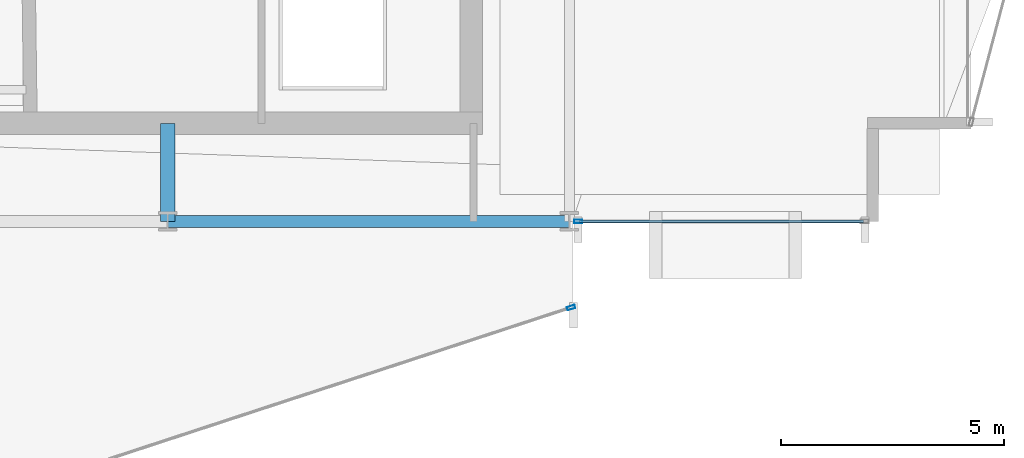
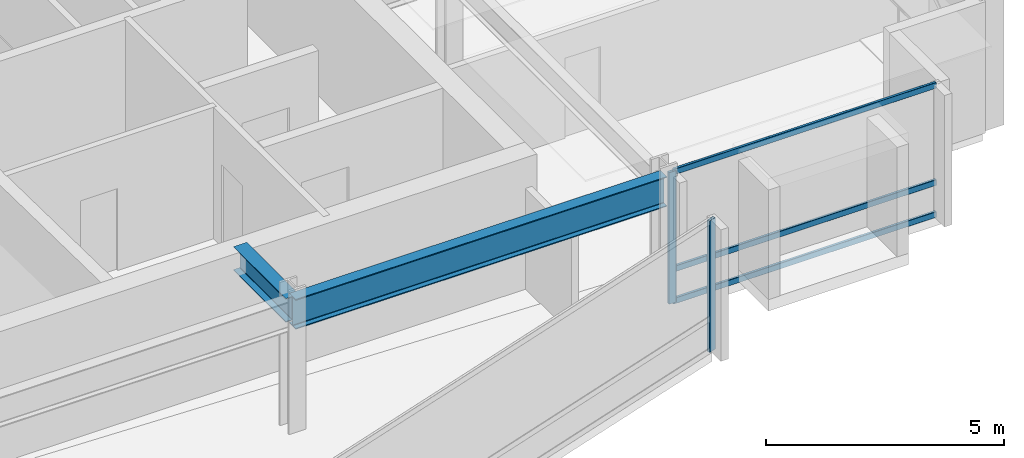
# One storey, part 10 of 29: 5 members, 2 beams, 2 elements without a shape of their own.
"""IFC4 building model written with IfcOpenShell, lengths in metres."""

from ifc_helpers import new_model, si_unit, direction, frame, origin, origin_2d, place, context, subcontext, project, spatial, hollow_rectangle, i_section, extrude, material, layer, layer_set, material_profile, profile_set, type_object, element, aggregate, save


model = new_model("IFC4")

# Units and contexts
model_context = context("Model", 3, precision=1e-05, world=origin(), true_north=direction((0.0, 1.0)))
body_context = subcontext(model_context, "Body", "Model", "MODEL_VIEW")
ifc_project = project(units=[si_unit("LENGTHUNIT", "METRE"), si_unit("AREAUNIT", "SQUARE_METRE"), si_unit("VOLUMEUNIT", "CUBIC_METRE"), si_unit("PLANEANGLEUNIT", "RADIAN"), si_unit("MASSUNIT", "GRAM", prefix="KILO")], contexts=[model_context])

# Site, building, storey
site_placement = place(None, origin())
site = spatial("IfcSite", under=ifc_project, at=site_placement, CompositionType="ELEMENT")
building_placement = place(site_placement, origin())
building = spatial("IfcBuilding", under=site, at=building_placement, Name="Solvaryn Broadcast Tower", CompositionType="ELEMENT")
storey_placement = place(building_placement, frame((0.0, 0.0, 165.5)))
storey = spatial("IfcBuildingStorey", under=building, at=storey_placement, Name="L41", CompositionType="ELEMENT", Elevation=165.5)

# Beams
ifc_material_1 = material(Name="Steel ASTM A992 Grade 50", Category="steel")
ifc_material_profile_1 = material_profile(ifc_material_1, i_section(OverallWidth=0.323974609375, OverallDepth=0.611083984375, WebThickness=0.0126953125, FlangeThickness=0.01904296875, FilletRadius=0.014892578125, at=origin_2d()))
ifc_profile_set_1 = profile_set([ifc_material_profile_1], Name="Steel ASTM A992 Grade 50")
beam_type_1 = type_object("IfcBeamType", Name="BM-B1-W24X104", PredefinedType="BEAM", material=ifc_profile_set_1)
beam_1_placement = place(storey_placement, frame((36.0, 9.0, 3.064453125), z_axis=(0.0, 1.0, 0.0), x_axis=(-1.0, 0.0, 0.0)))
element("IfcBeam", 1, at=beam_1_placement, inside=storey, type_object=beam_type_1, Name="L41 Core Tie Beam CTE1", PredefinedType="BEAM", context=body_context, shape_type="SweptSolid", body=[
    extrude(i_section(OverallWidth=0.323974609375, OverallDepth=0.611083984375, WebThickness=0.0126953125, FlangeThickness=0.01904296875, FilletRadius=0.014892578125, at=origin_2d()), origin(), (0.0, 0.0, 1.0), 2.199951171875),
])
ifc_material_2 = material(Name="Steel ASTM A992 Grade 50", Category="steel")
ifc_material_profile_2 = material_profile(ifc_material_2, i_section(OverallWidth=0.26708984375, OverallDepth=0.76611328125, WebThickness=0.014892578125, FlangeThickness=0.023681640625, FilletRadius=0.01806640625, at=origin_2d()))
ifc_profile_set_2 = profile_set([ifc_material_profile_2], Name="Steel ASTM A992 Grade 50")
beam_type_2 = type_object("IfcBeamType", Name="BM-SP2-W30X124", PredefinedType="USERDEFINED", material=ifc_profile_set_2)
beam_2_placement = place(storey_placement, frame((36.0, 9.0, 2.987060546875), z_axis=(1.0, 0.0, 0.0), x_axis=(0.0, 1.0, 0.0)))
element("IfcBeam", 2, at=beam_2_placement, inside=storey, type_object=beam_type_2, Name="L41 Spandrel Beam X (36-45 @ Y=9)", ObjectType="SPANDREL", PredefinedType="USERDEFINED", context=body_context, shape_type="SweptSolid", body=[
    extrude(i_section(OverallWidth=0.26708984375, OverallDepth=0.76611328125, WebThickness=0.014892578125, FlangeThickness=0.023681640625, FilletRadius=0.01806640625, at=origin_2d()), origin(), (0.0, 0.0, 1.0), 9.0),
])

# Curtain wall, member
ifc_material_3 = material(Name="Aluminium and Terracotta Unitised Curtain Wall", Category="masonry")
ifc_layer = layer(ifc_material_3, 0.199951171875)
ifc_layer_set = layer_set([ifc_layer], Name="CW-SYS2-LOWMID")
curtain_wall_type = type_object("IfcCurtainWallType", Name="CW-SYS2-LOWMID", PredefinedType="NOTDEFINED", material=ifc_layer_set)
curtain_wall_1_placement = place(storey_placement, origin())
curtain_wall_1 = element("IfcCurtainWall", 3, at=curtain_wall_1_placement, inside=storey, type_object=curtain_wall_type, Name="L41 Curtain Wall DR4", PredefinedType="NOTDEFINED")
ifc_material_4 = material(Name="Anodised Aluminium 6063-T6", Category="aluminium")
ifc_material_profile_3 = material_profile(ifc_material_4, hollow_rectangle(XDim=0.074951171875, YDim=0.179931640625, WallThickness=0.00390625, InnerFilletRadius=0.00390625, OuterFilletRadius=0.008056640625, at=origin_2d()))
ifc_profile_set_3 = profile_set([ifc_material_profile_3], Name="Anodised Aluminium 6063-T6")
member_type_1 = type_object("IfcMemberType", Name="CW-MUL-180", PredefinedType="MULLION", material=ifc_profile_set_3)
member_1_placement = place(storey_placement, frame((45.03857421875, 7.069580078125, 0.0), z_axis=(0.0, 0.0, 1.0), x_axis=(-0.311646057547, 0.950198260794, 0.0)))
member_1 = element("IfcMember", 4, at=member_1_placement, type_object=member_type_1, Name="CWS2 mullion 2", PredefinedType="MULLION", context=body_context, shape_type="SweptSolid", body=[
    extrude(hollow_rectangle(XDim=0.074951171875, YDim=0.179931640625, WallThickness=0.00390625, InnerFilletRadius=0.00390625, OuterFilletRadius=0.008056640625, at=origin_2d()), origin(), (0.0, 0.0, 1.0), 3.3701171875),
])
aggregate(curtain_wall_1, [member_1])

# Curtain wall, members
curtain_wall_2_placement = place(storey_placement, origin())
curtain_wall_2 = element("IfcCurtainWall", 5, at=curtain_wall_2_placement, inside=storey, type_object=curtain_wall_type, Name="L41 Curtain Wall S2", PredefinedType="NOTDEFINED")
member_2_placement = place(storey_placement, frame((45.197021484375, 9.0, 0.0), z_axis=(0.0, 0.0, 1.0), x_axis=(0.0, 1.0, 0.0)))
member_2 = element("IfcMember", 6, at=member_2_placement, type_object=member_type_1, Name="CWS2 mullion 1", PredefinedType="MULLION", context=body_context, shape_type="SweptSolid", body=[
    extrude(hollow_rectangle(XDim=0.074951171875, YDim=0.179931640625, WallThickness=0.00390625, InnerFilletRadius=0.00390625, OuterFilletRadius=0.008056640625, at=origin_2d()), origin(), (0.0, 0.0, 1.0), 3.3701171875),
])
ifc_material_5 = material(Name="Anodised Aluminium 6063-T6", Category="aluminium")
ifc_material_profile_4 = material_profile(ifc_material_5, hollow_rectangle(XDim=0.06494140625, YDim=0.14990234375, WallThickness=0.00390625, InnerFilletRadius=0.00390625, OuterFilletRadius=0.008056640625, at=origin_2d()))
ifc_profile_set_4 = profile_set([ifc_material_profile_4], Name="Anodised Aluminium 6063-T6")
member_type_2 = type_object("IfcMemberType", Name="CW-TRN-150", PredefinedType="USERDEFINED", material=ifc_profile_set_4)
member_3_placement = place(storey_placement, frame((45.22705078125, 9.0, 0.030029296875), z_axis=(1.0, 0.0, 0.0), x_axis=(0.0, 1.0, 0.0)))
member_3 = element("IfcMember", 7, at=member_3_placement, type_object=member_type_2, Name="CWS2 transom 1.1", ObjectType="TRANSOM", PredefinedType="USERDEFINED", context=body_context, shape_type="SweptSolid", body=[
    extrude(hollow_rectangle(XDim=0.06494140625, YDim=0.14990234375, WallThickness=0.00390625, InnerFilletRadius=0.00390625, OuterFilletRadius=0.008056640625, at=origin_2d()), origin(), (0.0, 0.0, 1.0), 6.363037109375),
])
member_4_placement = place(storey_placement, frame((45.22705078125, 9.0, 0.85009765625), z_axis=(1.0, 0.0, 0.0), x_axis=(0.0, 1.0, 0.0)))
member_4 = element("IfcMember", 8, at=member_4_placement, type_object=member_type_2, Name="CWS2 transom 1.2", ObjectType="TRANSOM", PredefinedType="USERDEFINED", context=body_context, shape_type="SweptSolid", body=[
    extrude(hollow_rectangle(XDim=0.06494140625, YDim=0.14990234375, WallThickness=0.00390625, InnerFilletRadius=0.00390625, OuterFilletRadius=0.008056640625, at=origin_2d()), origin(), (0.0, 0.0, 1.0), 6.363037109375),
])
member_5_placement = place(storey_placement, frame((45.22705078125, 9.0, 3.340087890625), z_axis=(1.0, 0.0, 0.0), x_axis=(0.0, 1.0, 0.0)))
member_5 = element("IfcMember", 9, at=member_5_placement, type_object=member_type_2, Name="CWS2 transom 1.3", ObjectType="TRANSOM", PredefinedType="USERDEFINED", context=body_context, shape_type="SweptSolid", body=[
    extrude(hollow_rectangle(XDim=0.06494140625, YDim=0.14990234375, WallThickness=0.00390625, InnerFilletRadius=0.00390625, OuterFilletRadius=0.008056640625, at=origin_2d()), origin(), (0.0, 0.0, 1.0), 6.363037109375),
])
aggregate(curtain_wall_2, [member_2, member_3, member_4, member_5])

save(model, "model.ifc")
